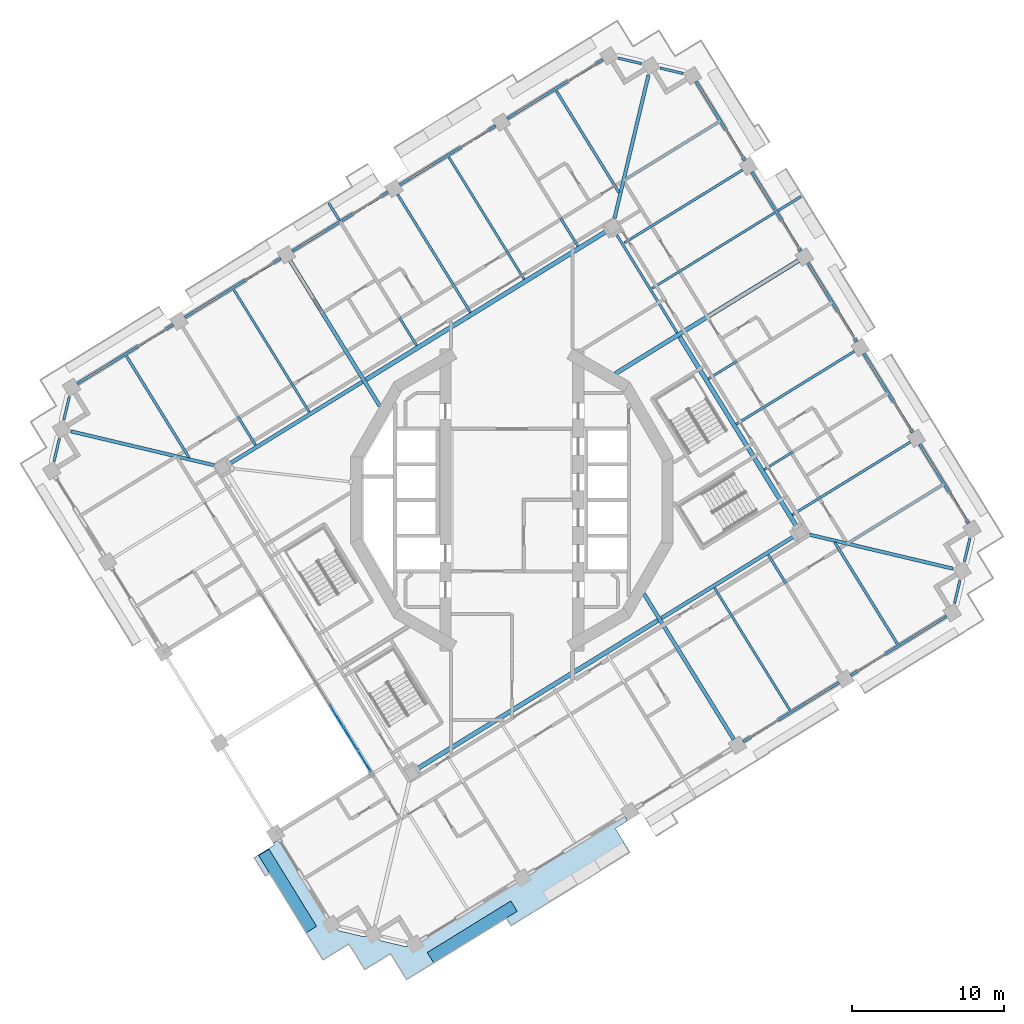
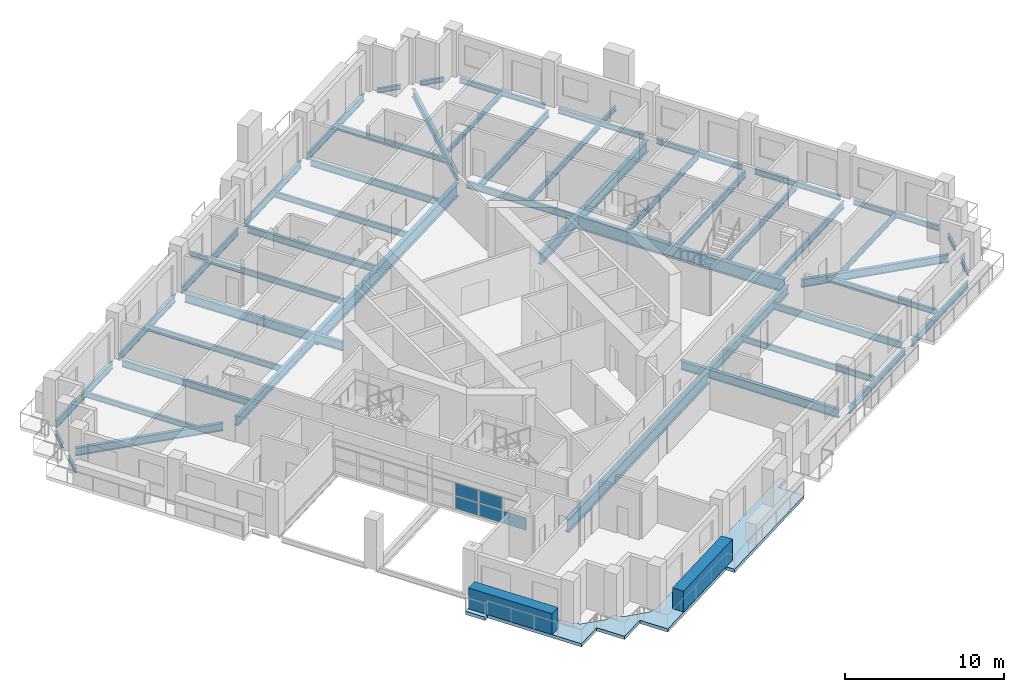
# One storey, part 5 of 22: 51 beams, 7 plates, 1 slab, 1 element without a shape of its own.
"""IFC4 building model written with IfcOpenShell, lengths in metres."""

from ifc_helpers import new_model, si_unit, direction, frame, origin, origin_2d, place, context, subcontext, project, spatial, polyline, rectangle, i_section, outline, extrude, material, layer, layer_set, material_profile, profile_set, type_object, element, aggregate, save


model = new_model("IFC4")

# Units and contexts
model_context = context("Model", 3, precision=1e-05, world=origin(), true_north=direction((0.0, 1.0)))
body_context = subcontext(model_context, "Body", "Model", "MODEL_VIEW")
ifc_project = project(units=[si_unit("LENGTHUNIT", "METRE"), si_unit("AREAUNIT", "SQUARE_METRE"), si_unit("VOLUMEUNIT", "CUBIC_METRE"), si_unit("PLANEANGLEUNIT", "RADIAN"), si_unit("MASSUNIT", "GRAM", prefix="KILO")], contexts=[model_context])

# Site, building, storey
site_placement = place(None, origin())
site = spatial("IfcSite", under=ifc_project, at=site_placement, CompositionType="ELEMENT")
building_placement = place(site_placement, origin())
building = spatial("IfcBuilding", under=site, at=building_placement, Name="Cantera Rosa Tower", CompositionType="ELEMENT")
storey_placement = place(building_placement, frame((0.0, 0.0, 162.800048828125)))
storey = spatial("IfcBuildingStorey", under=building, at=storey_placement, Name="L35", CompositionType="ELEMENT", Elevation=162.800048828125)

# Beams
ifc_material_1 = material(Name="Steel ASTM A992 (Fy 345 MPa)", Category="steel")
ifc_material_profile_1 = material_profile(ifc_material_1, i_section(OverallWidth=0.300048828125, OverallDepth=0.990966796875, WebThickness=0.0166015625, FlangeThickness=0.030517578125, FilletRadius=0.030029296875, at=origin_2d()), Name="W1000X272")
ifc_profile_set_1 = profile_set([ifc_material_profile_1], Name="Steel ASTM A992 (Fy 345 MPa)")
beam_type_1 = type_object("IfcBeamType", Name="STEEL BEAM W1000X272", PredefinedType="BEAM", material=ifc_profile_set_1)
beam_1_placement = place(storey_placement, frame((18.767822265625, -1.75927734375, -0.74560546875), z_axis=(-0.524974072618, 0.851118219215, 0.0), x_axis=(-0.851118219215, -0.524974072618, 0.0)))
element("IfcBeam", 1, at=beam_1_placement, inside=storey, type_object=beam_type_1, Name="RB-Z3-05 L35", PredefinedType="BEAM", context=body_context, shape_type="SweptSolid", body=[
    extrude(i_section(OverallWidth=0.300048828125, OverallDepth=0.990966796875, WebThickness=0.0166015625, FlangeThickness=0.030517578125, FilletRadius=0.030029296875, at=origin_2d()), origin(), (0.0, 0.0, 1.0), 14.7099609375),
])
ifc_material_2 = material(Name="Steel ASTM A992 (Fy 345 MPa)", Category="steel")
ifc_material_profile_2 = material_profile(ifc_material_2, i_section(OverallWidth=0.302001953125, OverallDepth=1.010009765625, WebThickness=0.02099609375, FlangeThickness=0.0400390625, FilletRadius=0.030029296875, at=origin_2d()), Name="W1000X350")
ifc_profile_set_2 = profile_set([ifc_material_profile_2], Name="Steel ASTM A992 (Fy 345 MPa)")
beam_type_2 = type_object("IfcBeamType", Name="STEEL BEAM W1000X350", PredefinedType="BEAM", material=ifc_profile_set_2)
for number, where, z_axis, x_axis, name in (
    (2, (-9.607666015625, 7.93798828125, -0.755126953125), (0.851118702028, 0.524973289852, 0.0), (-0.524973289852, 0.851118702028, 0.0), "RB-Z3-02 L35"),
    (3, (-6.231689453125, -17.707763671875, -0.755126953125), (0.851118702028, 0.524973289852, 0.0), (-0.524973289852, 0.851118702028, 0.0), "RB-Z3-03 L35"),
):
    element("IfcBeam", number, at=place(storey_placement, frame(where, z_axis=z_axis, x_axis=x_axis)), inside=storey, type_object=beam_type_2, Name=name, PredefinedType="BEAM", context=body_context, shape_type="SweptSolid", body=[
        extrude(i_section(OverallWidth=0.302001953125, OverallDepth=1.010009765625, WebThickness=0.02099609375, FlangeThickness=0.0400390625, FilletRadius=0.030029296875, at=origin_2d()), origin(), (0.0, 0.0, 1.0), 18.610107421875),
    ])
ifc_material_3 = material(Name="Steel ASTM A992 (Fy 345 MPa)", Category="steel")
ifc_material_profile_3 = material_profile(ifc_material_3, i_section(OverallWidth=0.166015625, OverallDepth=0.528076171875, WebThickness=0.009765625, FlangeThickness=0.013671875, FilletRadius=0.0126953125, at=origin_2d()), Name="W530X74")
ifc_profile_set_3 = profile_set([ifc_material_profile_3], Name="Steel ASTM A992 (Fy 345 MPa)")
beam_type_3 = type_object("IfcBeamType", Name="STEEL BEAM W530X74", PredefinedType="BEAM", material=ifc_profile_set_3)
beam_2_placement = place(storey_placement, frame((26.252685546875, 3.82080078125, -0.51416015625), z_axis=(-0.851116426313, -0.524976979362, 0.0), x_axis=(0.524976979362, -0.851116426313, 0.0)))
element("IfcBeam", 4, at=beam_2_placement, inside=storey, type_object=beam_type_3, Name="G-Z3-01 L35", PredefinedType="BEAM", context=body_context, shape_type="SweptSolid", body=[
    extrude(i_section(OverallWidth=0.166015625, OverallDepth=0.528076171875, WebThickness=0.009765625, FlangeThickness=0.013671875, FilletRadius=0.0126953125, at=origin_2d()), origin(), (0.0, 0.0, 1.0), 9.14990234375),
])
for number, where, z_axis, x_axis, name in (
    (5, (22.5673828125, 9.795654296875, -0.51416015625), (-0.851123779764, -0.524965057427, 0.0), (0.524965057427, -0.851123779764, 0.0), "G-Z3-02 L35"),
    (6, (15.19677734375, 21.745361328125, -0.51416015625), (-0.851123779764, -0.524965057427, 0.0), (0.524965057427, -0.851123779764, 0.0), "G-Z3-04 L35"),
):
    element("IfcBeam", number, at=place(storey_placement, frame(where, z_axis=z_axis, x_axis=x_axis)), inside=storey, type_object=beam_type_3, Name=name, PredefinedType="BEAM", context=body_context, shape_type="SweptSolid", body=[
        extrude(i_section(OverallWidth=0.166015625, OverallDepth=0.528076171875, WebThickness=0.009765625, FlangeThickness=0.013671875, FilletRadius=0.0126953125, at=origin_2d()), origin(), (0.0, 0.0, 1.0), 9.150146484375),
    ])
beam_3_placement = place(storey_placement, frame((-0.455078125, 24.51025390625, -0.51416015625), z_axis=(0.524976979362, -0.851116426313, 0.0), x_axis=(0.851116426313, 0.524976979362, 0.0)))
element("IfcBeam", 7, at=beam_3_placement, inside=storey, type_object=beam_type_3, Name="G-Z3-05 L35", PredefinedType="BEAM", context=body_context, shape_type="SweptSolid", body=[
    extrude(i_section(OverallWidth=0.166015625, OverallDepth=0.528076171875, WebThickness=0.009765625, FlangeThickness=0.013671875, FilletRadius=0.0126953125, at=origin_2d()), origin(), (0.0, 0.0, 1.0), 9.14990234375),
])
beam_4_placement = place(storey_placement, frame((-7.536376953125, 20.142578125, -0.51416015625), z_axis=(0.524965057427, -0.851123779764, 0.0), x_axis=(0.851123779764, 0.524965057427, 0.0)))
element("IfcBeam", 8, at=beam_4_placement, inside=storey, type_object=beam_type_3, Name="G-Z3-06 L35", PredefinedType="BEAM", context=body_context, shape_type="SweptSolid", body=[
    extrude(i_section(OverallWidth=0.166015625, OverallDepth=0.528076171875, WebThickness=0.009765625, FlangeThickness=0.013671875, FilletRadius=0.0126953125, at=origin_2d()), origin(), (0.0, 0.0, 1.0), 9.150146484375),
])
for number, where, z_axis, x_axis, name in (
    (9, (-21.698974609375, 11.40673828125, -0.51416015625), (0.524976979362, -0.851116426313, 0.0), (0.851116426313, 0.524976979362, 0.0), "G-Z3-08 L35"),
    (10, (21.698974609375, -11.40673828125, -0.51416015625), (-0.524976979362, 0.851116426313, 0.0), (-0.851116426313, -0.524976979362, 0.0), "G-Z3-12 L35"),
):
    element("IfcBeam", number, at=place(storey_placement, frame(where, z_axis=z_axis, x_axis=x_axis)), inside=storey, type_object=beam_type_3, Name=name, PredefinedType="BEAM", context=body_context, shape_type="SweptSolid", body=[
        extrude(i_section(OverallWidth=0.166015625, OverallDepth=0.528076171875, WebThickness=0.009765625, FlangeThickness=0.013671875, FilletRadius=0.0126953125, at=origin_2d()), origin(), (0.0, 0.0, 1.0), 9.14990234375),
    ])
beam_5_placement = place(storey_placement, frame((10.887939453125, 11.015869140625, -0.51416015625), z_axis=(-0.52497571981, 0.851117203216, 0.0), x_axis=(-0.851117203216, -0.52497571981, 0.0)))
element("IfcBeam", 11, at=beam_5_placement, inside=storey, type_object=beam_type_3, Name="RB-Z3-06 L35", PredefinedType="BEAM", context=body_context, shape_type="SweptSolid", body=[
    extrude(i_section(OverallWidth=0.166015625, OverallDepth=0.528076171875, WebThickness=0.009765625, FlangeThickness=0.013671875, FilletRadius=0.0126953125, at=origin_2d()), origin(), (0.0, 0.0, 1.0), 7.690185546875),
])
ifc_material_4 = material(Name="Steel ASTM A992 (Fy 345 MPa)", Category="steel")
ifc_material_profile_4 = material_profile(ifc_material_4, i_section(OverallWidth=0.22802734375, OverallDepth=0.60205078125, WebThickness=0.010498046875, FlangeThickness=0.014892578125, FilletRadius=0.0126953125, at=origin_2d()), Name="W610X101")
ifc_profile_set_4 = profile_set([ifc_material_profile_4], Name="Steel ASTM A992 (Fy 345 MPa)")
beam_type_4 = type_object("IfcBeamType", Name="STEEL BEAM W610X101", PredefinedType="BEAM", material=ifc_profile_set_4)
for number, where, z_axis, x_axis, name in (
    (12, (8.995361328125, 27.989501953125, -0.551025390625), (-0.230622120091, -0.973043389436, 0.0), (0.973043389436, -0.230622120091, 0.0), "CB-Z3-01 L35"),
    (13, (-29.049560546875, 4.523193359375, -0.551025390625), (0.973043389436, -0.230622120091, 0.0), (0.230622120091, 0.973043389436, 0.0), "CB-Z3-02 L35"),
    (14, (29.049560546875, -4.523193359375, -0.551025390625), (-0.973043389436, 0.230622120091, 0.0), (-0.230622120091, -0.973043389436, 0.0), "CB-Z3-04 L35"),
):
    element("IfcBeam", number, at=place(storey_placement, frame(where, z_axis=z_axis, x_axis=x_axis)), inside=storey, type_object=beam_type_4, Name=name, PredefinedType="BEAM", context=body_context, shape_type="SweptSolid", body=[
        extrude(i_section(OverallWidth=0.22802734375, OverallDepth=0.60205078125, WebThickness=0.010498046875, FlangeThickness=0.014892578125, FilletRadius=0.0126953125, at=origin_2d()), origin(), (0.0, 0.0, 1.0), 9.6875),
    ])
ifc_material_5 = material(Name="Steel ASTM A992 (Fy 345 MPa)", Category="steel")
ifc_material_profile_5 = material_profile(ifc_material_5, i_section(OverallWidth=0.25390625, OverallDepth=0.677978515625, WebThickness=0.01171875, FlangeThickness=0.016357421875, FilletRadius=0.01513671875, at=origin_2d()), Name="W690X125")
ifc_profile_set_5 = profile_set([ifc_material_profile_5], Name="Steel ASTM A992 (Fy 345 MPa)")
beam_type_5 = type_object("IfcBeamType", Name="STEEL BEAM W690X125", PredefinedType="BEAM", material=ifc_profile_set_5)
for number, where, z_axis, x_axis, name in (
    (15, (-14.61767578125, 15.774658203125, -0.589111328125), (0.524984160378, -0.85111199695, 0.0), (0.85111199695, 0.524984160378, 0.0), "G-Z3-07 L35"),
    (16, (14.61767578125, -15.774658203125, -0.589111328125), (-0.524984160378, 0.85111199695, 0.0), (-0.85111199695, -0.524984160378, 0.0), "G-Z3-11 L35"),
):
    element("IfcBeam", number, at=place(storey_placement, frame(where, z_axis=z_axis, x_axis=x_axis)), inside=storey, type_object=beam_type_5, Name=name, PredefinedType="BEAM", context=body_context, shape_type="SweptSolid", body=[
        extrude(i_section(OverallWidth=0.25390625, OverallDepth=0.677978515625, WebThickness=0.01171875, FlangeThickness=0.016357421875, FilletRadius=0.01513671875, at=origin_2d()), origin(), (0.0, 0.0, 1.0), 11.271728515625),
    ])
for number, where, z_axis, x_axis, name in (
    (17, (-18.62109375, 2.37841796875, -0.589111328125), (0.851114508358, 0.524980088825, 0.0), (-0.524980088825, 0.851114508358, 0.0), "RB-Z3-01 L35"),
    (18, (9.863037109375, -7.780517578125, -0.589111328125), (0.851114508358, 0.524980088825, 0.0), (-0.524980088825, 0.851114508358, 0.0), "RB-Z3-04 L35"),
):
    element("IfcBeam", number, at=place(storey_placement, frame(where, z_axis=z_axis, x_axis=x_axis)), inside=storey, type_object=beam_type_5, Name=name, PredefinedType="BEAM", context=body_context, shape_type="SweptSolid", body=[
        extrude(i_section(OverallWidth=0.25390625, OverallDepth=0.677978515625, WebThickness=0.01171875, FlangeThickness=0.016357421875, FilletRadius=0.01513671875, at=origin_2d()), origin(), (0.0, 0.0, 1.0), 10.2900390625),
    ])
ifc_material_6 = material(Name="Steel ASTM A992 (Fy 345 MPa)", Category="steel")
ifc_material_profile_6 = material_profile(ifc_material_6, i_section(OverallWidth=0.2919921875, OverallDepth=0.8359375, WebThickness=0.013916015625, FlangeThickness=0.018798828125, FilletRadius=0.017822265625, at=origin_2d()), Name="W840X176")
ifc_profile_set_6 = profile_set([ifc_material_profile_6], Name="Steel ASTM A992 (Fy 345 MPa)")
beam_type_6 = type_object("IfcBeamType", Name="STEEL BEAM W840X176", PredefinedType="BEAM", material=ifc_profile_set_6)
beam_6_placement = place(storey_placement, frame((18.882080078125, 15.7705078125, -0.66796875), z_axis=(-0.8511231456, -0.524966085595, 0.0), x_axis=(0.524966085595, -0.8511231456, 0.0)))
element("IfcBeam", 19, at=beam_6_placement, inside=storey, type_object=beam_type_6, Name="G-Z3-03 L35", PredefinedType="BEAM", context=body_context, shape_type="SweptSolid", body=[
    extrude(i_section(OverallWidth=0.2919921875, OverallDepth=0.8359375, WebThickness=0.013916015625, FlangeThickness=0.018798828125, FilletRadius=0.017822265625, at=origin_2d()), origin(), (0.0, 0.0, 1.0), 14.17138671875),
])
ifc_material_7 = material(Name="Steel ASTM A992 (Fy 345 MPa)", Category="steel")
ifc_material_profile_7 = material_profile(ifc_material_7, i_section(OverallWidth=0.1708984375, OverallDepth=0.35595703125, WebThickness=0.00732421875, FlangeThickness=0.01171875, FilletRadius=0.010009765625, at=origin_2d()), Name="W360X51")
ifc_profile_set_7 = profile_set([ifc_material_profile_7], Name="Steel ASTM A992 (Fy 345 MPa)")
beam_type_7 = type_object("IfcBeamType", Name="STEEL JOIST W360X51", PredefinedType="JOIST", material=ifc_profile_set_7)
for number, where, z_axis, x_axis, name in (
    (20, (28.3505859375, 0.990966796875, -0.427978515625), (-0.851109089911, -0.524988873283, 0.0), (0.524988873283, -0.851109089911, 0.0), "B-Z3-01 L35"),
    (21, (13.609375, 24.890380859375, -0.427978515625), (-0.851109089911, -0.524988873283, 0.0), (0.524988873283, -0.851109089911, 0.0), "B-Z3-05 L35"),
):
    element("IfcBeam", number, at=place(storey_placement, frame(where, z_axis=z_axis, x_axis=x_axis)), inside=storey, type_object=beam_type_7, Name=name, PredefinedType="JOIST", context=body_context, shape_type="SweptSolid", body=[
        extrude(i_section(OverallWidth=0.1708984375, OverallDepth=0.35595703125, WebThickness=0.00732421875, FlangeThickness=0.01171875, FilletRadius=0.010009765625, at=origin_2d()), origin(), (0.0, 0.0, 1.0), 7.2099609375),
    ])
beam_7_placement = place(storey_placement, frame((-11.381591796875, 18.4521484375, -0.427978515625), z_axis=(-0.524836157482, 0.851203270552, 0.0), x_axis=(-0.851203270552, -0.524836157482, 0.0)))
element("IfcBeam", 22, at=beam_7_placement, inside=storey, type_object=beam_type_7, Name="BS-Z3-10 L35", PredefinedType="JOIST", context=body_context, shape_type="SweptSolid", body=[
    extrude(i_section(OverallWidth=0.1708984375, OverallDepth=0.35595703125, WebThickness=0.00732421875, FlangeThickness=0.01171875, FilletRadius=0.010009765625, at=origin_2d()), origin(), (0.0, 0.0, 1.0), 1.290283203125),
])
beam_8_placement = place(storey_placement, frame((17.532958984375, 19.0625, -0.427978515625), z_axis=(0.851142135145, 0.524935296756, 0.0), x_axis=(-0.524935296756, 0.851142135145, 0.0)))
element("IfcBeam", 23, at=beam_8_placement, inside=storey, type_object=beam_type_7, Name="BS-Z3-12 L35", PredefinedType="JOIST", context=body_context, shape_type="SweptSolid", body=[
    extrude(i_section(OverallWidth=0.1708984375, OverallDepth=0.35595703125, WebThickness=0.00732421875, FlangeThickness=0.01171875, FilletRadius=0.010009765625, at=origin_2d()), origin(), (0.0, 0.0, 1.0), 1.771484375),
])
ifc_material_8 = material(Name="Steel ASTM A992 (Fy 345 MPa)", Category="steel")
ifc_material_profile_8 = material_profile(ifc_material_8, i_section(OverallWidth=0.177978515625, OverallDepth=0.406005859375, WebThickness=0.0078125, FlangeThickness=0.0126953125, FilletRadius=0.01025390625, at=origin_2d()), Name="W410X60")
ifc_profile_set_8 = profile_set([ifc_material_profile_8], Name="Steel ASTM A992 (Fy 345 MPa)")
beam_type_8 = type_object("IfcBeamType", Name="STEEL JOIST W410X60", PredefinedType="JOIST", material=ifc_profile_set_8)
beam_9_placement = place(storey_placement, frame((2.927978515625, 26.949462890625, -0.453125), z_axis=(0.524994840515, -0.85110540912, 0.0), x_axis=(0.85110540912, 0.524994840515, 0.0)))
element("IfcBeam", 24, at=beam_9_placement, inside=storey, type_object=beam_type_8, Name="B-Z3-06 L35", PredefinedType="JOIST", context=body_context, shape_type="SweptSolid", body=[
    extrude(i_section(OverallWidth=0.177978515625, OverallDepth=0.406005859375, WebThickness=0.0078125, FlangeThickness=0.0126953125, FilletRadius=0.01025390625, at=origin_2d()), origin(), (0.0, 0.0, 1.0), 7.860107421875),
])
for number, where, z_axis, x_axis, name in (
    (25, (-25.39697265625, 9.478271484375, -0.453125), (0.524972339906, -0.851119287958, 0.0), (0.851119287958, 0.524972339906, 0.0), "B-Z3-10 L35"),
    (26, (25.39697265625, -9.478271484375, -0.453125), (-0.524972339906, 0.851119287958, 0.0), (-0.851119287958, -0.524972339906, 0.0), "B-Z3-15 L35"),
):
    element("IfcBeam", number, at=place(storey_placement, frame(where, z_axis=z_axis, x_axis=x_axis)), inside=storey, type_object=beam_type_8, Name=name, PredefinedType="JOIST", context=body_context, shape_type="SweptSolid", body=[
        extrude(i_section(OverallWidth=0.177978515625, OverallDepth=0.406005859375, WebThickness=0.0078125, FlangeThickness=0.0126953125, FilletRadius=0.01025390625, at=origin_2d()), origin(), (0.0, 0.0, 1.0), 7.85986328125),
    ])
ifc_material_9 = material(Name="Steel ASTM A992 (Fy 345 MPa)", Category="steel")
ifc_material_profile_9 = material_profile(ifc_material_9, i_section(OverallWidth=0.154052734375, OverallDepth=0.4599609375, WebThickness=0.009033203125, FlangeThickness=0.015380859375, FilletRadius=0.01025390625, at=origin_2d()), Name="W460X68")
ifc_profile_set_9 = profile_set([ifc_material_profile_9], Name="Steel ASTM A992 (Fy 345 MPa)")
beam_type_9 = type_object("IfcBeamType", Name="STEEL JOIST W460X68", PredefinedType="JOIST", material=ifc_profile_set_9)
for number, where, z_axis, x_axis, name in (
    (27, (24.665283203125, 6.9658203125, -0.47998046875), (-0.851118539758, -0.524973552935, 0.0), (0.524973552935, -0.851118539758, 0.0), "B-Z3-02 L35"),
    (28, (20.97998046875, 12.940673828125, -0.47998046875), (-0.851118539758, -0.524973552935, 0.0), (0.524973552935, -0.851118539758, 0.0), "B-Z3-03 L35"),
    (29, (17.294677734375, 18.91552734375, -0.47998046875), (-0.851118539758, -0.524973552935, 0.0), (0.524973552935, -0.851118539758, 0.0), "B-Z3-04 L35"),
):
    element("IfcBeam", number, at=place(storey_placement, frame(where, z_axis=z_axis, x_axis=x_axis)), inside=storey, type_object=beam_type_9, Name=name, PredefinedType="JOIST", context=body_context, shape_type="SweptSolid", body=[
        extrude(i_section(OverallWidth=0.154052734375, OverallDepth=0.4599609375, WebThickness=0.009033203125, FlangeThickness=0.015380859375, FilletRadius=0.01025390625, at=origin_2d()), origin(), (0.0, 0.0, 1.0), 9.449951171875),
    ])
beam_10_placement = place(storey_placement, frame((-4.1533203125, 22.581787109375, -0.47998046875), z_axis=(0.524980724235, -0.851114116427, 0.0), x_axis=(0.851114116427, 0.524980724235, 0.0)))
element("IfcBeam", 30, at=beam_10_placement, inside=storey, type_object=beam_type_9, Name="B-Z3-07 L35", PredefinedType="JOIST", context=body_context, shape_type="SweptSolid", body=[
    extrude(i_section(OverallWidth=0.154052734375, OverallDepth=0.4599609375, WebThickness=0.009033203125, FlangeThickness=0.015380859375, FilletRadius=0.01025390625, at=origin_2d()), origin(), (0.0, 0.0, 1.0), 9.4501953125),
])
beam_11_placement = place(storey_placement, frame((-11.234619140625, 18.2138671875, -0.47998046875), z_axis=(0.524992267726, -0.85110699611, 0.0), x_axis=(0.85110699611, 0.524992267726, 0.0)))
element("IfcBeam", 31, at=beam_11_placement, inside=storey, type_object=beam_type_9, Name="B-Z3-08 L35", PredefinedType="JOIST", context=body_context, shape_type="SweptSolid", body=[
    extrude(i_section(OverallWidth=0.154052734375, OverallDepth=0.4599609375, WebThickness=0.009033203125, FlangeThickness=0.015380859375, FilletRadius=0.01025390625, at=origin_2d()), origin(), (0.0, 0.0, 1.0), 9.449951171875),
])
for number, where, z_axis, x_axis, name in (
    (32, (-18.315673828125, 13.84619140625, -0.47998046875), (0.524962009542, -0.851125659663, 0.0), (0.851125659663, 0.524962009542, 0.0), "B-Z3-09 L35"),
    (33, (18.315673828125, -13.84619140625, -0.47998046875), (-0.524962009542, 0.851125659663, 0.0), (-0.851125659663, -0.524962009542, 0.0), "B-Z3-14 L35"),
):
    element("IfcBeam", number, at=place(storey_placement, frame(where, z_axis=z_axis, x_axis=x_axis)), inside=storey, type_object=beam_type_9, Name=name, PredefinedType="JOIST", context=body_context, shape_type="SweptSolid", body=[
        extrude(i_section(OverallWidth=0.154052734375, OverallDepth=0.4599609375, WebThickness=0.009033203125, FlangeThickness=0.015380859375, FilletRadius=0.01025390625, at=origin_2d()), origin(), (0.0, 0.0, 1.0), 9.4501953125),
    ])
ifc_material_10 = material(Name="Steel ASTM A992 (Fy 345 MPa)", Category="steel")
ifc_material_profile_10 = material_profile(ifc_material_10, i_section(OverallWidth=0.1708984375, OverallDepth=0.35595703125, WebThickness=0.00732421875, FlangeThickness=0.01171875, FilletRadius=0.010009765625, at=origin_2d()), Name="W360X51")
ifc_profile_set_10 = profile_set([ifc_material_profile_10], Name="Steel ASTM A992 (Fy 345 MPa)")
beam_type_10 = type_object("IfcBeamType", Name="STEEL SPANDREL BEAM W360X51", PredefinedType="SPANDREL", material=ifc_profile_set_10)
for number, where, z_axis, x_axis, name in (
    (34, (11.275146484375, 28.103271484375, -0.427978515625), (-0.973059906546, 0.230552419793, 0.0), (-0.230552419793, -0.973059906546, 0.0), "EB-Z3-06 L35"),
    (35, (8.52294921875, 28.755615234375, -0.427978515625), (-0.973059906546, 0.230552419793, 0.0), (-0.230552419793, -0.973059906546, 0.0), "EB-Z3-07 L35"),
    (36, (-29.163330078125, 6.802734375, -0.427978515625), (-0.230552419793, -0.973059906546, 0.0), (0.973059906546, -0.230552419793, 0.0), "EB-Z3-13 L35"),
    (37, (-29.8154296875, 4.050537109375, -0.427978515625), (-0.230701014544, -0.973024687194, 0.0), (0.973024687194, -0.230701014544, 0.0), "EB-Z3-14 L35"),
    (38, (29.163330078125, -6.802734375, -0.427978515625), (0.230552419793, 0.973059906546, 0.0), (-0.973059906546, 0.230552419793, 0.0), "EB-Z3-27 L35"),
    (39, (29.8154296875, -4.050537109375, -0.427978515625), (0.230701014544, 0.973024687194, 0.0), (-0.973024687194, 0.230701014544, 0.0), "EB-Z3-28 L35"),
):
    element("IfcBeam", number, at=place(storey_placement, frame(where, z_axis=z_axis, x_axis=x_axis)), inside=storey, type_object=beam_type_10, Name=name, PredefinedType="SPANDREL", context=body_context, shape_type="SweptSolid", body=[
        extrude(i_section(OverallWidth=0.1708984375, OverallDepth=0.35595703125, WebThickness=0.00732421875, FlangeThickness=0.01171875, FilletRadius=0.010009765625, at=origin_2d()), origin(), (0.0, 0.0, 1.0), 1.5556640625),
    ])
ifc_material_11 = material(Name="Steel ASTM A992 (Fy 345 MPa)", Category="steel")
ifc_material_profile_11 = material_profile(ifc_material_11, i_section(OverallWidth=0.177978515625, OverallDepth=0.406005859375, WebThickness=0.0078125, FlangeThickness=0.0126953125, FilletRadius=0.01025390625, at=origin_2d()), Name="W410X60")
ifc_profile_set_11 = profile_set([ifc_material_profile_11], Name="Steel ASTM A992 (Fy 345 MPa)")
beam_type_11 = type_object("IfcBeamType", Name="STEEL SPANDREL BEAM W410X60", PredefinedType="SPANDREL", material=ifc_profile_set_11)
for number, where, z_axis, x_axis, name in (
    (40, (30.084716796875, -1.53466796875, -0.453125), (-0.524987447654, 0.851109969279, 0.0), (-0.851109969279, -0.524987447654, 0.0), "EB-Z3-01 L35"),
    (41, (26.3994140625, 4.440185546875, -0.453125), (-0.524987447654, 0.851109969279, 0.0), (-0.851109969279, -0.524987447654, 0.0), "EB-Z3-02 L35"),
    (42, (22.714111328125, 10.4150390625, -0.453125), (-0.524987447654, 0.851109969279, 0.0), (-0.851109969279, -0.524987447654, 0.0), "EB-Z3-03 L35"),
    (43, (19.02880859375, 16.389892578125, -0.453125), (-0.524987447654, 0.851109969279, 0.0), (-0.851109969279, -0.524987447654, 0.0), "EB-Z3-04 L35"),
    (44, (15.343505859375, 22.36474609375, -0.453125), (-0.524987447654, 0.851109969279, 0.0), (-0.851109969279, -0.524987447654, 0.0), "EB-Z3-05 L35"),
):
    element("IfcBeam", number, at=place(storey_placement, frame(where, z_axis=z_axis, x_axis=x_axis)), inside=storey, type_object=beam_type_11, Name=name, PredefinedType="SPANDREL", context=body_context, shape_type="SweptSolid", body=[
        extrude(i_section(OverallWidth=0.177978515625, OverallDepth=0.406005859375, WebThickness=0.0078125, FlangeThickness=0.0126953125, FilletRadius=0.01025390625, at=origin_2d()), origin(), (0.0, 0.0, 1.0), 6.119873046875),
    ])
ifc_material_12 = material(Name="Steel ASTM A992 (Fy 345 MPa)", Category="steel")
ifc_material_profile_12 = material_profile(ifc_material_12, i_section(OverallWidth=0.166015625, OverallDepth=0.528076171875, WebThickness=0.009765625, FlangeThickness=0.013671875, FilletRadius=0.0126953125, at=origin_2d()), Name="W530X74")
ifc_profile_set_12 = profile_set([ifc_material_profile_12], Name="Steel ASTM A992 (Fy 345 MPa)")
beam_type_12 = type_object("IfcBeamType", Name="STEEL SPANDREL BEAM W530X74", PredefinedType="SPANDREL", material=ifc_profile_set_12)
for number, where, z_axis, x_axis, name in (
    (45, (6.007080078125, 29.02490234375, -0.51416015625), (-0.851111085575, -0.524985637909, 0.0), (0.524985637909, -0.851111085575, 0.0), "EB-Z3-08 L35"),
    (46, (-1.07421875, 24.656982421875, -0.51416015625), (-0.85112578684, -0.524961803349, 0.0), (0.524961803349, -0.85112578684, 0.0), "EB-Z3-09 L35"),
    (47, (-8.155517578125, 20.289306640625, -0.51416015625), (-0.851111085575, -0.524985637909, 0.0), (0.524985637909, -0.851111085575, 0.0), "EB-Z3-10 L35"),
    (48, (-15.23681640625, 15.92138671875, -0.51416015625), (-0.85112578684, -0.524961803349, 0.0), (0.524961803349, -0.85112578684, 0.0), "EB-Z3-11 L35"),
    (49, (-22.318115234375, 11.5537109375, -0.51416015625), (-0.851111085575, -0.524985637909, 0.0), (0.524985637909, -0.851111085575, 0.0), "EB-Z3-12 L35"),
    (50, (15.23681640625, -15.92138671875, -0.51416015625), (0.85112578684, 0.524961803349, 0.0), (-0.524961803349, 0.85112578684, 0.0), "EB-Z3-25 L35"),
    (51, (22.318115234375, -11.5537109375, -0.51416015625), (0.851111085575, 0.524985637909, 0.0), (-0.524985637909, 0.851111085575, 0.0), "EB-Z3-26 L35"),
):
    element("IfcBeam", number, at=place(storey_placement, frame(where, z_axis=z_axis, x_axis=x_axis)), inside=storey, type_object=beam_type_12, Name=name, PredefinedType="SPANDREL", context=body_context, shape_type="SweptSolid", body=[
        extrude(i_section(OverallWidth=0.166015625, OverallDepth=0.528076171875, WebThickness=0.009765625, FlangeThickness=0.013671875, FilletRadius=0.0126953125, at=origin_2d()), origin(), (0.0, 0.0, 1.0), 7.420166015625),
    ])

# Curtain wall, plates
ifc_material_13 = material(Name="Aluminium frame with clear glass", Category="aluminium")
curtain_wall_type = type_object("IfcCurtainWallType", Name="CW1 TERRACE POCKET GLAZING", PredefinedType="NOTDEFINED", material=ifc_material_13)
curtain_wall_placement = place(storey_placement, origin())
curtain_wall = element("IfcCurtainWall", 52, at=curtain_wall_placement, inside=storey, type_object=curtain_wall_type, Name="CW1 CW1", PredefinedType="NOTDEFINED")
ifc_material_14 = material(Name="Aluminium frame with clear glass", Category="aluminium")
ifc_layer_1 = layer(ifc_material_14, 0.028076171875)
ifc_layer_set_1 = layer_set([ifc_layer_1], Name="CW-PANEL POCKET")
plate_type_1 = type_object("IfcPlateType", Name="CW-PANEL POCKET", PredefinedType="CURTAIN_PANEL", material=ifc_layer_set_1)
plate_1_placement = place(storey_placement, frame((-11.524169921875, -14.270263671875, 0.06005859375), z_axis=(0.0, 0.0, 1.0), x_axis=(0.524976580369, -0.851116672416, 0.0)))
plate_1 = element("IfcPlate", 53, at=plate_1_placement, type_object=plate_type_1, Name="CW1 panel 6.1", PredefinedType="CURTAIN_PANEL", context=body_context, shape_type="SweptSolid", body=[
    extrude(rectangle(XDim=1.663818359375, YDim=0.028076171875, at=origin_2d()), origin(), (0.0, 0.0, 1.0), 0.9619140625),
])
plate_2_placement = place(storey_placement, frame((-11.524169921875, -14.270263671875, 1.08203125), z_axis=(0.0, 0.0, 1.0), x_axis=(0.524976580369, -0.851116672416, 0.0)))
plate_2 = element("IfcPlate", 54, at=plate_2_placement, type_object=plate_type_1, Name="CW1 panel 6.2", PredefinedType="CURTAIN_PANEL", context=body_context, shape_type="SweptSolid", body=[
    extrude(rectangle(XDim=1.663818359375, YDim=0.028076171875, at=origin_2d()), origin(), (0.0, 0.0, 1.0), 0.9619140625),
])
plate_3_placement = place(storey_placement, frame((-10.619384765625, -15.7373046875, 0.06005859375), z_axis=(0.0, 0.0, 1.0), x_axis=(0.524976580369, -0.851116672416, 0.0)))
plate_3 = element("IfcPlate", 55, at=plate_3_placement, type_object=plate_type_1, Name="CW1 panel 7.1", PredefinedType="CURTAIN_PANEL", context=body_context, shape_type="SweptSolid", body=[
    extrude(rectangle(XDim=1.663818359375, YDim=0.028076171875, at=origin_2d()), origin(), (0.0, 0.0, 1.0), 0.9619140625),
])
plate_4_placement = place(storey_placement, frame((-10.619384765625, -15.7373046875, 1.08203125), z_axis=(0.0, 0.0, 1.0), x_axis=(0.524976580369, -0.851116672416, 0.0)))
plate_4 = element("IfcPlate", 56, at=plate_4_placement, type_object=plate_type_1, Name="CW1 panel 7.2", PredefinedType="CURTAIN_PANEL", context=body_context, shape_type="SweptSolid", body=[
    extrude(rectangle(XDim=1.663818359375, YDim=0.028076171875, at=origin_2d()), origin(), (0.0, 0.0, 1.0), 0.9619140625),
])
plate_5_placement = place(storey_placement, frame((-9.72216796875, -17.191650390625, 0.06005859375), z_axis=(0.0, 0.0, 1.0), x_axis=(0.524976580369, -0.851116672416, 0.0)))
plate_5 = element("IfcPlate", 57, at=plate_5_placement, type_object=plate_type_1, Name="CW1 panel 8.1", PredefinedType="CURTAIN_PANEL", context=body_context, shape_type="SweptSolid", body=[
    extrude(rectangle(XDim=1.6337890625, YDim=0.028076171875, at=origin_2d()), origin(), (0.0, 0.0, 1.0), 0.9619140625),
])
aggregate(curtain_wall, [plate_1, plate_2, plate_3, plate_4, plate_5])

# Slab
ifc_material_15 = material(Name="Concrete C35/45", Category="concrete")
ifc_layer_2 = layer(ifc_material_15, 0.25)
ifc_layer_set_2 = layer_set([ifc_layer_2], Name="LOGGIA SLAB 250 C35/45")
slab_type = type_object("IfcSlabType", Name="LOGGIA SLAB 250 C35/45", PredefinedType="FLOOR", material=ifc_layer_set_2)
slab_placement = place(storey_placement, frame((0.0, 0.0, -0.25)))
element("IfcSlab", 58, at=slab_placement, inside=storey, type_object=slab_type, Name="LOGGIA SLAB L35 3", PredefinedType="FLOOR", context=body_context, shape_type="SweptSolid", body=[
    extrude(outline(polyline([(-5.49755859375, -30.7080078125), (-6.9443359375, -31.600341796875), (-7.8369140625, -30.153564453125), (-7.994384765625, -29.898193359375), (-8.249755859375, -30.0556640625), (-9.696533203125, -30.9482421875), (-10.589111328125, -29.501220703125), (-10.74658203125, -29.245849609375), (-11.001953125, -29.4033203125), (-12.44873046875, -30.2958984375), (-13.34130859375, -28.84912109375), (-15.96533203125, -24.5947265625), (-16.239013671875, -24.763427734375), (-16.985107421875, -23.5537109375), (-15.647705078125, -22.728515625), (-15.7265625, -22.600830078125), (-15.343505859375, -22.36474609375), (-12.408935546875, -27.122314453125), (-11.894287109375, -27.95654296875), (-11.4736328125, -28.328125), (-11.45068359375, -28.346435546875), (-11.426025390625, -28.362548828125), (-11.39990234375, -28.376220703125), (-11.37255859375, -28.386962890625), (-11.34423828125, -28.395263671875), (-9.83056640625, -28.75390625), (-9.801513671875, -28.75927734375), (-9.772216796875, -28.76171875), (-9.742919921875, -28.761474609375), (-9.713623046875, -28.75830078125), (-9.684814453125, -28.752197265625), (-9.14208984375, -28.60888671875), (-8.721435546875, -28.98046875), (-8.698486328125, -28.998779296875), (-8.673828125, -29.014892578125), (-8.647705078125, -29.0283203125), (-8.620361328125, -29.039306640625), (-8.592041015625, -29.047607421875), (-7.078369140625, -29.40625), (-7.049560546875, -29.41162109375), (-7.02001953125, -29.4140625), (-6.99072265625, -29.413818359375), (-6.96142578125, -29.410400390625), (-6.9326171875, -29.404296875), (-6.389892578125, -29.260986328125), (7.3896484375, -20.76171875), (7.625732421875, -21.144775390625), (6.8173828125, -21.643310546875), (7.78369140625, -23.210205078125), (-0.055908203125, -28.04541015625), (-0.365966796875, -27.542724609375), (-5.49755859375, -30.7080078125)])), origin(), (0.0, 0.0, 1.0), 0.25),
])

# Plates
ifc_material_16 = material(Name="Cantera stone planter with soil", Category="masonry")
plate_type_2 = type_object("IfcPlateType", Name="PLANTER 800", PredefinedType="USERDEFINED", material=ifc_material_16)
plate_6_placement = place(storey_placement, frame((-14.77783203125, -25.758056640625, 0.0), z_axis=(0.0, 0.0, 1.0), x_axis=(0.52497658034, -0.851116672434, 0.0)))
element("IfcPlate", 59, at=plate_6_placement, inside=storey, type_object=plate_type_2, Name="PLANTER L35-15", ObjectType="PLANTER", PredefinedType="USERDEFINED", context=body_context, shape_type="SweptSolid", body=[
    extrude(rectangle(XDim=5.969970703125, YDim=0.800048828125, at=origin_2d()), origin(), (0.0, 0.0, 1.0), 1.60009765625),
])
plate_7_placement = place(storey_placement, frame((-2.61376953125, -28.459228515625, 0.0), z_axis=(0.0, 0.0, 1.0), x_axis=(0.851116672434, 0.52497658034, 0.0)))
element("IfcPlate", 60, at=plate_7_placement, inside=storey, type_object=plate_type_2, Name="PLANTER L35-16", ObjectType="PLANTER", PredefinedType="USERDEFINED", context=body_context, shape_type="SweptSolid", body=[
    extrude(rectangle(XDim=6.469970703125, YDim=0.800048828125, at=origin_2d()), origin(), (0.0, 0.0, 1.0), 1.60009765625),
])

save(model, "model.ifc")
